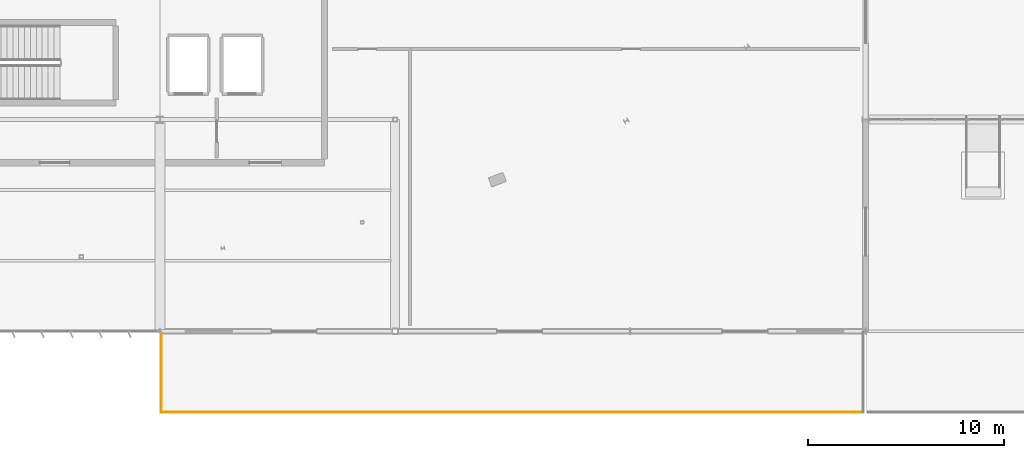
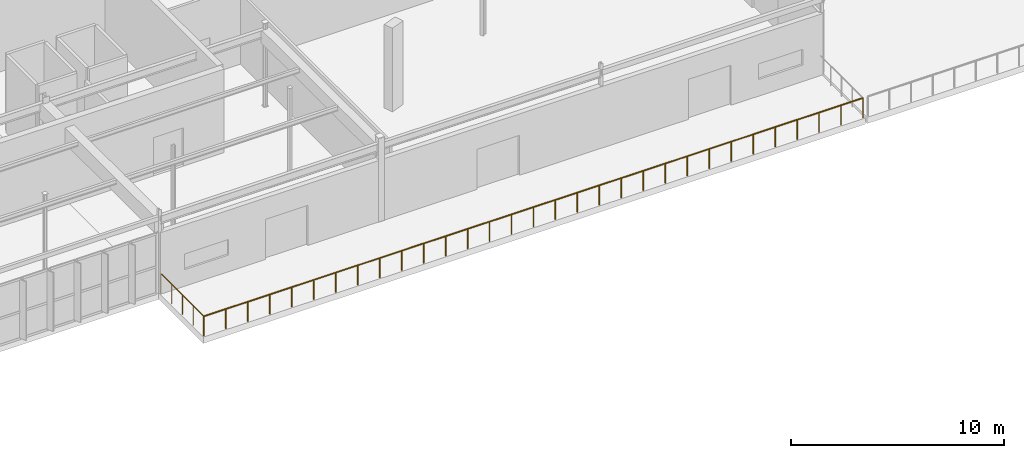
# One storey, part 180 of 199: 2 railings.
"""IFC4 building model written with IfcOpenShell, lengths in metres."""

import ifcopenshell
import ifcopenshell.guid

model = None  # the IFC model being written
_history = None  # IfcOwnerHistory: only IFC2X3 demands one
_inside = {}  # id of a spatial element -> (the spatial element, [elements in it])
_under = {}  # id of a project, library or spatial element -> (it, [spatial elements below it])
_declared = {}  # id of a project -> (the project, [libraries it declares])
_typed = {}  # id of a type object -> (the type object, [elements of that type])
_made_of = {}  # id of a material, layer set ... -> (it, [elements and type objects made of it])


def new_model(schema):
    """Start an empty IFC model of exactly this schema.

    Asked for "IFC4X3", IfcOpenShell would pick the latest addendum, in which some entities
    have other attributes; the version numbers below select the first issue.
    IFC2X3 requires an IfcOwnerHistory on every rooted entity: one is made here for all.
    """
    global model, _history
    if schema == "IFC4X3":
        model = ifcopenshell.file(schema_version=(4, 3, 0, 0))
    else:
        model = ifcopenshell.file(schema=schema)
    _inside.clear()
    _under.clear()
    _declared.clear()
    _typed.clear()
    _made_of.clear()
    _history = None
    if model.schema == "IFC2X3":
        org = make("IfcOrganization", Name="unknown")
        user = make(
            "IfcPersonAndOrganization",
            ThePerson=make("IfcPerson", FamilyName="unknown"),
            TheOrganization=org,
        )
        app = make(
            "IfcApplication",
            ApplicationDeveloper=org,
            Version="unknown",
            ApplicationFullName="unknown",
            ApplicationIdentifier="unknown",
        )
        _history = make(
            "IfcOwnerHistory",
            OwningUser=user,
            OwningApplication=app,
            ChangeAction="ADDED",
            CreationDate=0,
        )
    return model


def make(cls, **values):
    """One entity of the class cls with the attributes given. An attribute that is None is left unset."""
    return model.create_entity(
        cls, **{name: value for name, value in values.items() if value is not None}
    )


def rooted(cls, **values):
    """An entity with a GlobalId (a new one), such as an element, a storey or a relation."""
    return make(cls, GlobalId=ifcopenshell.guid.new(), OwnerHistory=_history, **values)


def si_unit(unit_type, name, prefix=None):
    """IfcSIUnit, for example si_unit("LENGTHUNIT", "METRE", prefix="MILLI")."""
    return make("IfcSIUnit", UnitType=unit_type, Prefix=prefix, Name=name)


def assignment(units):
    """IfcUnitAssignment: the units of a project."""
    return None if units is None else make("IfcUnitAssignment", Units=units)


def point(xyz):
    """IfcCartesianPoint."""
    return None if xyz is None else make("IfcCartesianPoint", Coordinates=xyz)


def direction(xyz):
    """IfcDirection."""
    return None if xyz is None else make("IfcDirection", DirectionRatios=xyz)


def frame(location, z_axis=None, x_axis=None):
    """IfcAxis2Placement3D, a coordinate frame: its origin and axes. An axis left out is left unset."""
    return make(
        "IfcAxis2Placement3D",
        Location=point(location),
        Axis=direction(z_axis),
        RefDirection=direction(x_axis),
    )


def frame_2d(location, x_axis=None):
    """IfcAxis2Placement2D, a coordinate frame in the plane: its origin and x axis."""
    return make(
        "IfcAxis2Placement2D", Location=point(location), RefDirection=direction(x_axis)
    )


def origin():
    """The frame at (0, 0, 0) with its axes left unset."""
    return frame((0.0, 0.0, 0.0))


def origin_2d():
    """The frame at (0, 0) in the plane with its x axis left unset."""
    return frame_2d((0.0, 0.0))


def place(relative_to, where):
    """IfcLocalPlacement: puts the frame where relative to a parent placement (None: the world)."""
    return make(
        "IfcLocalPlacement", PlacementRelTo=relative_to, RelativePlacement=where
    )


def context(
    kind, dimensions, precision=None, world=None, true_north=None, identifier=None
):
    """IfcGeometricRepresentationContext, for example the 3D "Model" context."""
    return make(
        "IfcGeometricRepresentationContext",
        ContextIdentifier=identifier,
        ContextType=kind,
        CoordinateSpaceDimension=dimensions,
        Precision=precision,
        WorldCoordinateSystem=world,
        TrueNorth=true_north,
    )


def subcontext(parent, identifier, kind, view, scale=None):
    """IfcGeometricRepresentationSubContext, for example "Body" below "Model"."""
    return make(
        "IfcGeometricRepresentationSubContext",
        ContextIdentifier=identifier,
        ContextType=kind,
        ParentContext=parent,
        TargetScale=scale,
        TargetView=view,
    )


def project(units=None, contexts=None):
    """IfcProject with its units and contexts."""
    return rooted(
        "IfcProject",
        Name="project",
        RepresentationContexts=contexts,
        UnitsInContext=assignment(units),
    )


def spatial(cls, under=None, at=None, **own):
    """A site, building, storey or space (cls), placed at a placement, below another one or the project."""
    s = rooted(cls, ObjectPlacement=at, **own)
    if under is not None:
        _under.setdefault(under.id(), (under, []))[1].append(s)
    return s


def profile(cls, at=None, kind="AREA", **sizes):
    """A parametric profile (cls). Its sizes go by their IFC names, for example OverallWidth=200.0."""
    return make(cls, ProfileType=kind, Position=at, **sizes)


def circle(**sizes):
    """IfcCircleProfileDef."""
    return profile("IfcCircleProfileDef", **sizes)


def extrude(swept, where, along, depth):
    """IfcExtrudedAreaSolid: the profile swept, set in the frame where, extruded along a direction by depth."""
    return make(
        "IfcExtrudedAreaSolid",
        SweptArea=swept,
        Position=where,
        ExtrudedDirection=direction(along),
        Depth=depth,
    )


def shape(context_of_items, identifier, shape_type, items):
    """IfcShapeRepresentation: the items that make up one representation, for example the "Body"."""
    return make(
        "IfcShapeRepresentation",
        ContextOfItems=context_of_items,
        RepresentationIdentifier=identifier,
        RepresentationType=shape_type,
        Items=items,
    )


def material(Name=None, Category=None):
    """IfcMaterial."""
    return make("IfcMaterial", Name=Name, Category=Category)


def made_of(thing, what):
    """Note that an element or type object is made of a material, layer set ...; save() writes the relation."""
    if what is not None:
        _made_of.setdefault(what.id(), (what, []))[1].append(thing)
    return thing


def type_object(cls, material=None, **own):
    """A type object (cls), such as IfcWallType, which elements share."""
    return made_of(rooted(cls, **own), material)


def element(
    cls,
    number,
    at=None,
    inside=None,
    cuts=None,
    type_object=None,
    material=None,
    context=None,
    identifier="Body",
    shape_type=None,
    held_by="IfcProductDefinitionShape",
    body=None,
    shapes=None,
    **own,
):
    """One element of the class cls, such as IfcWall. Its Tag is "e" and its number.

    at: its placement. inside: the storey or other place that contains it. cuts: it is an
    opening in that element (IfcRelVoidsElement). A single representation is given by context,
    identifier, shape_type and body (its items); several are given by shapes. held_by: the class
    of the entity that holds the representations. save() writes the other relations.
    """
    e = rooted(cls, Tag="e%d" % number, ObjectPlacement=at, **own)
    if body is not None:
        shapes = [shape(context, identifier, shape_type, body)]
    if shapes is not None:
        e.Representation = make(held_by, Representations=shapes)
    if inside is not None:
        _inside.setdefault(inside.id(), (inside, []))[1].append(e)
    if cuts is not None:
        rooted(
            "IfcRelVoidsElement", RelatingBuildingElement=cuts, RelatedOpeningElement=e
        )
    if type_object is not None:
        _typed.setdefault(type_object.id(), (type_object, []))[1].append(e)
    return made_of(e, material)


def aggregate(whole, parts):
    """IfcRelAggregates: a whole, such as a stair, and the parts it consists of."""
    return rooted("IfcRelAggregates", RelatingObject=whole, RelatedObjects=parts)


def save(model, path):
    """Write the relations noted so far, then the file.

    IfcRelAggregates (storeys below a building ...), IfcRelContainedInSpatialStructure (elements
    in a storey), IfcRelDefinesByType, IfcRelAssociatesMaterial and IfcRelDeclares: one each for
    every whole, place, type object, material and project.
    """
    for whole, parts in _under.values():
        aggregate(whole, parts)
    for where, things in _inside.values():
        rooted(
            "IfcRelContainedInSpatialStructure",
            RelatedElements=things,
            RelatingStructure=where,
        )
    for kind, things in _typed.values():
        rooted("IfcRelDefinesByType", RelatedObjects=things, RelatingType=kind)
    for what, things in _made_of.values():
        rooted("IfcRelAssociatesMaterial", RelatedObjects=things, RelatingMaterial=what)
    for by, libraries in _declared.values():
        rooted("IfcRelDeclares", RelatingContext=by, RelatedDefinitions=libraries)
    model.write(path)


model = new_model("IFC4")

# Units and contexts
model_context = context("Model", 3, precision=1e-05, world=origin(), true_north=direction((0.0, 1.0)))
body_context = subcontext(model_context, "Body", "Model", "MODEL_VIEW")
ifc_project = project(units=[si_unit("LENGTHUNIT", "METRE"), si_unit("AREAUNIT", "SQUARE_METRE"), si_unit("VOLUMEUNIT", "CUBIC_METRE"), si_unit("PLANEANGLEUNIT", "RADIAN"), si_unit("MASSUNIT", "GRAM", prefix="KILO")], contexts=[model_context])

# Site, building, storey
site_placement = place(None, origin())
site = spatial("IfcSite", under=ifc_project, at=site_placement, CompositionType="ELEMENT")
building_placement = place(site_placement, origin())
building = spatial("IfcBuilding", under=site, at=building_placement, Name="Tarnwether General Hospital", CompositionType="ELEMENT")
storey_placement = place(building_placement, origin())
storey = spatial("IfcBuildingStorey", under=building, at=storey_placement, Name="L00", CompositionType="ELEMENT", Elevation=0.0)

# Railings
ifc_material = material(Name="Anodised aluminium", Category="aluminium")
railing_type = type_object("IfcRailingType", Name="RL-GRD-EXT", PredefinedType="GUARDRAIL", material=ifc_material)
railing_1_placement = place(storey_placement, frame((96.06005859375, -4.1201171875, 0.0)))
element("IfcRailing", 1, at=railing_1_placement, inside=storey, type_object=railing_type, Name="L00 Upper Scarp Arrival Plaza and Street Terrace SL-L00-PLAZA-P5 Guard 0009", PredefinedType="GUARDRAIL", context=body_context, shape_type="SweptSolid", body=[
    extrude(circle(Radius=0.02392578125, at=origin_2d()), frame((0.0, 0.0, 1.1259765625), z_axis=(0.0, 1.0, 0.0), x_axis=(-1.0, 0.0, 0.0)), (0.0, 0.0, 1.0), 4.0400390625),
    extrude(circle(Radius=0.02099609375, at=origin_2d()), origin(), (0.0, 0.0, 1.0), 1.101806640625),
    extrude(circle(Radius=0.02099609375, at=origin_2d()), frame((0.0, 1.010009765625, 0.0)), (0.0, 0.0, 1.0), 1.101806640625),
    extrude(circle(Radius=0.02099609375, at=origin_2d()), frame((0.0, 2.02001953125, 0.0)), (0.0, 0.0, 1.0), 1.101806640625),
    extrude(circle(Radius=0.02099609375, at=origin_2d()), frame((0.0, 3.030029296875, 0.0)), (0.0, 0.0, 1.0), 1.101806640625),
    extrude(circle(Radius=0.02099609375, at=origin_2d()), frame((0.0, 4.0400390625, 0.0)), (0.0, 0.0, 1.0), 1.101806640625),
])
railing_2_placement = place(storey_placement, frame((131.8701171875, -4.1201171875, 0.0)))
element("IfcRailing", 2, at=railing_2_placement, inside=storey, type_object=railing_type, Name="L00 Upper Scarp Arrival Plaza and Street Terrace SL-L00-PLAZA-P5 Guard 0011", PredefinedType="GUARDRAIL", context=body_context, shape_type="SweptSolid", body=[
    extrude(circle(Radius=0.02392578125, at=origin_2d()), frame((0.0, 0.0, 1.1259765625), z_axis=(-1.0, 0.0, 0.0), x_axis=(0.0, -1.0, 0.0)), (0.0, 0.0, 1.0), 35.81005859375),
    extrude(circle(Radius=0.02099609375, at=origin_2d()), origin(), (0.0, 0.0, 1.0), 1.101806640625),
    extrude(circle(Radius=0.02099609375, at=origin_2d()), frame((-1.193603515625, 0.0, 0.0)), (0.0, 0.0, 1.0), 1.101806640625),
    extrude(circle(Radius=0.02099609375, at=origin_2d()), frame((-2.387451171875, 0.0, 0.0)), (0.0, 0.0, 1.0), 1.101806640625),
    extrude(circle(Radius=0.02099609375, at=origin_2d()), frame((-3.5810546875, 0.0, 0.0)), (0.0, 0.0, 1.0), 1.101806640625),
    extrude(circle(Radius=0.02099609375, at=origin_2d()), frame((-4.774658203125, 0.0, 0.0)), (0.0, 0.0, 1.0), 1.101806640625),
    extrude(circle(Radius=0.02099609375, at=origin_2d()), frame((-5.96826171875, 0.0, 0.0)), (0.0, 0.0, 1.0), 1.101806640625),
    extrude(circle(Radius=0.02099609375, at=origin_2d()), frame((-7.162109375, 0.0, 0.0)), (0.0, 0.0, 1.0), 1.101806640625),
    extrude(circle(Radius=0.02099609375, at=origin_2d()), frame((-8.355712890625, 0.0, 0.0)), (0.0, 0.0, 1.0), 1.101806640625),
    extrude(circle(Radius=0.02099609375, at=origin_2d()), frame((-9.54931640625, 0.0, 0.0)), (0.0, 0.0, 1.0), 1.101806640625),
    extrude(circle(Radius=0.02099609375, at=origin_2d()), frame((-10.742919921875, 0.0, 0.0)), (0.0, 0.0, 1.0), 1.101806640625),
    extrude(circle(Radius=0.02099609375, at=origin_2d()), frame((-11.936767578125, 0.0, 0.0)), (0.0, 0.0, 1.0), 1.101806640625),
    extrude(circle(Radius=0.02099609375, at=origin_2d()), frame((-13.13037109375, 0.0, 0.0)), (0.0, 0.0, 1.0), 1.101806640625),
    extrude(circle(Radius=0.02099609375, at=origin_2d()), frame((-14.323974609375, 0.0, 0.0)), (0.0, 0.0, 1.0), 1.101806640625),
    extrude(circle(Radius=0.02099609375, at=origin_2d()), frame((-15.517578125, 0.0, 0.0)), (0.0, 0.0, 1.0), 1.101806640625),
    extrude(circle(Radius=0.02099609375, at=origin_2d()), frame((-16.71142578125, 0.0, 0.0)), (0.0, 0.0, 1.0), 1.101806640625),
    extrude(circle(Radius=0.02099609375, at=origin_2d()), frame((-17.905029296875, 0.0, 0.0)), (0.0, 0.0, 1.0), 1.101806640625),
    extrude(circle(Radius=0.02099609375, at=origin_2d()), frame((-19.0986328125, 0.0, 0.0)), (0.0, 0.0, 1.0), 1.101806640625),
    extrude(circle(Radius=0.02099609375, at=origin_2d()), frame((-20.29248046875, 0.0, 0.0)), (0.0, 0.0, 1.0), 1.101806640625),
    extrude(circle(Radius=0.02099609375, at=origin_2d()), frame((-21.486083984375, 0.0, 0.0)), (0.0, 0.0, 1.0), 1.101806640625),
    extrude(circle(Radius=0.02099609375, at=origin_2d()), frame((-22.6796875, 0.0, 0.0)), (0.0, 0.0, 1.0), 1.101806640625),
    extrude(circle(Radius=0.02099609375, at=origin_2d()), frame((-23.873291015625, 0.0, 0.0)), (0.0, 0.0, 1.0), 1.101806640625),
    extrude(circle(Radius=0.02099609375, at=origin_2d()), frame((-25.067138671875, 0.0, 0.0)), (0.0, 0.0, 1.0), 1.101806640625),
    extrude(circle(Radius=0.02099609375, at=origin_2d()), frame((-26.2607421875, 0.0, 0.0)), (0.0, 0.0, 1.0), 1.101806640625),
    extrude(circle(Radius=0.02099609375, at=origin_2d()), frame((-27.454345703125, 0.0, 0.0)), (0.0, 0.0, 1.0), 1.101806640625),
    extrude(circle(Radius=0.02099609375, at=origin_2d()), frame((-28.64794921875, 0.0, 0.0)), (0.0, 0.0, 1.0), 1.101806640625),
    extrude(circle(Radius=0.02099609375, at=origin_2d()), frame((-29.841796875, 0.0, 0.0)), (0.0, 0.0, 1.0), 1.101806640625),
    extrude(circle(Radius=0.02099609375, at=origin_2d()), frame((-31.035400390625, 0.0, 0.0)), (0.0, 0.0, 1.0), 1.101806640625),
    extrude(circle(Radius=0.02099609375, at=origin_2d()), frame((-32.22900390625, 0.0, 0.0)), (0.0, 0.0, 1.0), 1.101806640625),
    extrude(circle(Radius=0.02099609375, at=origin_2d()), frame((-33.422607421875, 0.0, 0.0)), (0.0, 0.0, 1.0), 1.101806640625),
    extrude(circle(Radius=0.02099609375, at=origin_2d()), frame((-34.616455078125, 0.0, 0.0)), (0.0, 0.0, 1.0), 1.101806640625),
    extrude(circle(Radius=0.02099609375, at=origin_2d()), frame((-35.81005859375, 0.0, 0.0)), (0.0, 0.0, 1.0), 1.101806640625),
])

save(model, "model.ifc")
